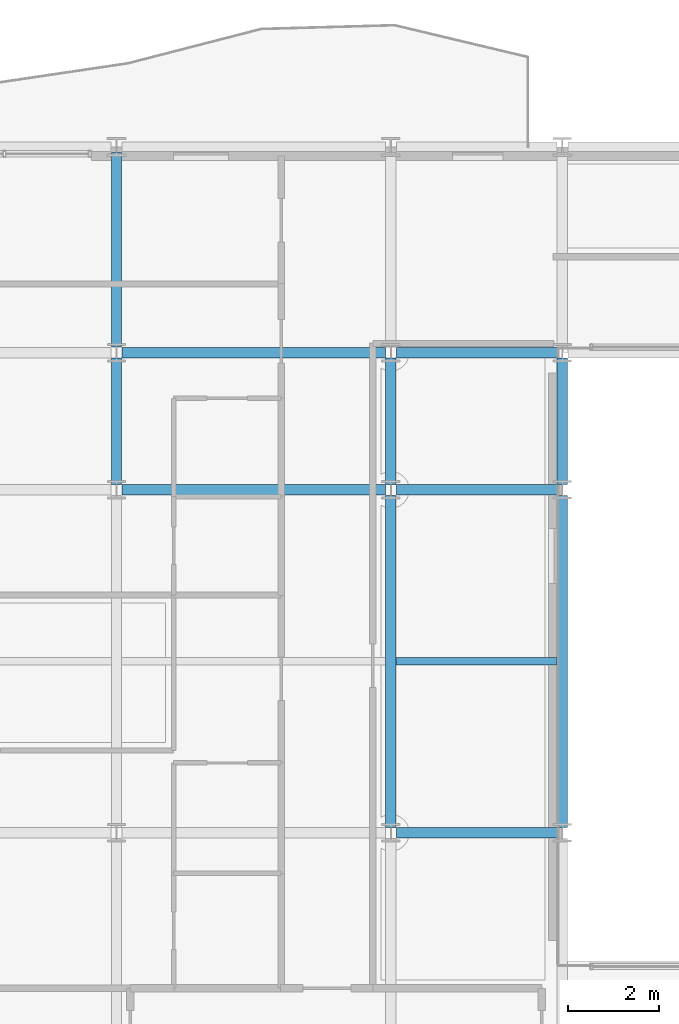
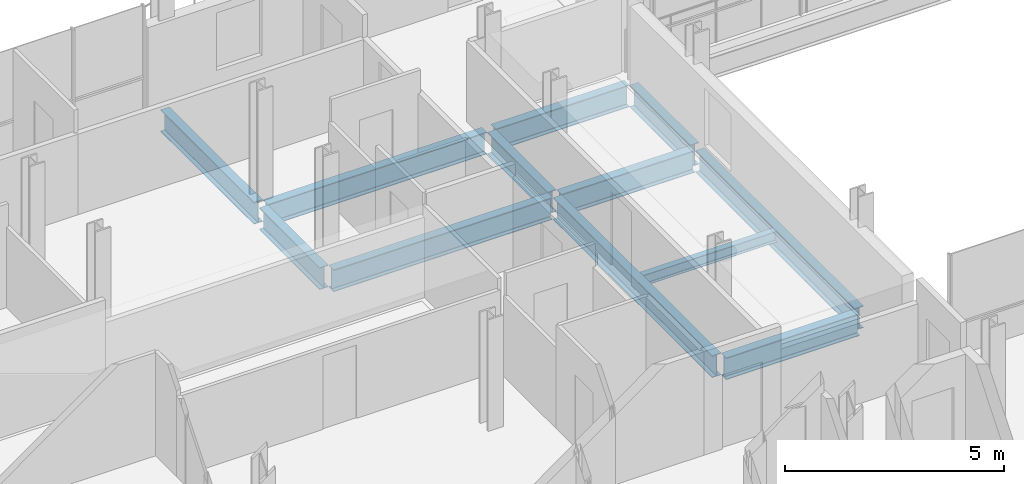
# One storey, part 10 of 41: 12 beams.
"""IFC4 building model written with IfcOpenShell, lengths in metres."""

from ifc_helpers import new_model, si_unit, direction, frame, origin, origin_2d, place, context, subcontext, project, spatial, i_section, extrude, material, material_profile, profile_set, type_object, element, save


model = new_model("IFC4")

# Units and contexts
model_context = context("Model", 3, precision=1e-05, world=origin(), true_north=direction((0.0, 1.0)))
body_context = subcontext(model_context, "Body", "Model", "MODEL_VIEW")
ifc_project = project(units=[si_unit("LENGTHUNIT", "METRE"), si_unit("AREAUNIT", "SQUARE_METRE"), si_unit("VOLUMEUNIT", "CUBIC_METRE"), si_unit("PLANEANGLEUNIT", "RADIAN"), si_unit("MASSUNIT", "GRAM", prefix="KILO")], contexts=[model_context])

# Site, building, storey
site_placement = place(None, origin())
site = spatial("IfcSite", under=ifc_project, at=site_placement, CompositionType="ELEMENT")
building_placement = place(site_placement, origin())
building = spatial("IfcBuilding", under=site, at=building_placement, Name="Brevholm Reach", CompositionType="ELEMENT")
storey_placement = place(building_placement, frame((0.0, 0.0, 157.300048828125)))
storey = spatial("IfcBuildingStorey", under=building, at=storey_placement, Name="L47", CompositionType="ELEMENT", Elevation=157.300048828125)

# Beams
ifc_material_1 = material(Name="Structural Steel S355J2", Category="steel")
ifc_material_profile_1 = material_profile(ifc_material_1, i_section(OverallWidth=0.1650390625, OverallDepth=0.303466796875, WebThickness=0.006103515625, FlangeThickness=0.01025390625, FilletRadius=0.0087890625, at=origin_2d()), Name="UKB 305x165x40")
ifc_profile_set_1 = profile_set([ifc_material_profile_1], Name="Structural Steel S355J2")
beam_type_1 = type_object("IfcBeamType", Name="BM-B305", PredefinedType="BEAM", material=ifc_profile_set_1)
beam_1_placement = place(storey_placement, frame((18.114501953125, 19.75, -0.371826171875), z_axis=(1.0, 0.0, 0.0), x_axis=(0.0, 1.0, 0.0)))
element("IfcBeam", 1, at=beam_1_placement, inside=storey, type_object=beam_type_1, Name="L47 Composite Secondary Floor Beam", PredefinedType="BEAM", context=body_context, shape_type="SweptSolid", body=[
    extrude(i_section(OverallWidth=0.1650390625, OverallDepth=0.303466796875, WebThickness=0.006103515625, FlangeThickness=0.01025390625, FilletRadius=0.0087890625, at=origin_2d()), origin(), (0.0, 0.0, 1.0), 3.52099609375),
])
ifc_material_2 = material(Name="Structural Steel S355J2", Category="steel")
ifc_material_profile_2 = material_profile(ifc_material_2, i_section(OverallWidth=0.22900390625, OverallDepth=0.6123046875, WebThickness=0.011962890625, FlangeThickness=0.01953125, FilletRadius=0.0126953125, at=origin_2d()), Name="UKB 610x229x125")
ifc_profile_set_2 = profile_set([ifc_material_profile_2], Name="Structural Steel S355J2")
beam_type_2 = type_object("IfcBeamType", Name="BM-SP610", PredefinedType="SPANDREL", material=ifc_profile_set_2)
beam_2_placement = place(storey_placement, frame((18.1201171875, 16.0, -0.526123046875), z_axis=(1.0, 0.0, 0.0), x_axis=(0.0, 1.0, 0.0)))
element("IfcBeam", 2, at=beam_2_placement, inside=storey, type_object=beam_type_2, Name="L47 SP-01 Framing Beam", PredefinedType="SPANDREL", context=body_context, shape_type="SweptSolid", body=[
    extrude(i_section(OverallWidth=0.22900390625, OverallDepth=0.6123046875, WebThickness=0.011962890625, FlangeThickness=0.01953125, FilletRadius=0.0126953125, at=origin_2d()), origin(), (0.0, 0.0, 1.0), 3.509765625),
])
beam_3_placement = place(storey_placement, frame((12.1201171875, 23.5, -0.526123046875), z_axis=(1.0, 0.0, 0.0), x_axis=(0.0, 1.0, 0.0)))
element("IfcBeam", 3, at=beam_3_placement, inside=storey, type_object=beam_type_2, Name="L47 SP-01 Framing Beam", PredefinedType="SPANDREL", context=body_context, shape_type="SweptSolid", body=[
    extrude(i_section(OverallWidth=0.22900390625, OverallDepth=0.6123046875, WebThickness=0.011962890625, FlangeThickness=0.01953125, FilletRadius=0.0126953125, at=origin_2d()), origin(), (0.0, 0.0, 1.0), 5.759765625),
])
beam_4_placement = place(storey_placement, frame((18.1201171875, 23.5, -0.526123046875), z_axis=(1.0, 0.0, 0.0), x_axis=(0.0, 1.0, 0.0)))
element("IfcBeam", 4, at=beam_4_placement, inside=storey, type_object=beam_type_2, Name="L47 SP-01 Framing Beam", PredefinedType="SPANDREL", context=body_context, shape_type="SweptSolid", body=[
    extrude(i_section(OverallWidth=0.22900390625, OverallDepth=0.6123046875, WebThickness=0.011962890625, FlangeThickness=0.01953125, FilletRadius=0.0126953125, at=origin_2d()), origin(), (0.0, 0.0, 1.0), 3.509765625),
])
beam_5_placement = place(storey_placement, frame((12.1201171875, 26.5, -0.526123046875), z_axis=(1.0, 0.0, 0.0), x_axis=(0.0, 1.0, 0.0)))
element("IfcBeam", 5, at=beam_5_placement, inside=storey, type_object=beam_type_2, Name="L47 SP-01 Framing Beam", PredefinedType="SPANDREL", context=body_context, shape_type="SweptSolid", body=[
    extrude(i_section(OverallWidth=0.22900390625, OverallDepth=0.6123046875, WebThickness=0.011962890625, FlangeThickness=0.01953125, FilletRadius=0.0126953125, at=origin_2d()), origin(), (0.0, 0.0, 1.0), 5.759765625),
])
beam_6_placement = place(storey_placement, frame((18.1201171875, 26.5, -0.526123046875), z_axis=(1.0, 0.0, 0.0), x_axis=(0.0, 1.0, 0.0)))
element("IfcBeam", 6, at=beam_6_placement, inside=storey, type_object=beam_type_2, Name="L47 SP-01 Framing Beam", PredefinedType="SPANDREL", context=body_context, shape_type="SweptSolid", body=[
    extrude(i_section(OverallWidth=0.22900390625, OverallDepth=0.6123046875, WebThickness=0.011962890625, FlangeThickness=0.01953125, FilletRadius=0.0126953125, at=origin_2d()), origin(), (0.0, 0.0, 1.0), 3.509765625),
])
beam_7_placement = place(storey_placement, frame((12.0, 23.6201171875, -0.526123046875), z_axis=(0.0, 1.0, 0.0), x_axis=(-1.0, 0.0, 0.0)))
element("IfcBeam", 7, at=beam_7_placement, inside=storey, type_object=beam_type_2, Name="L47 SP-01 Framing Beam", PredefinedType="SPANDREL", context=body_context, shape_type="SweptSolid", body=[
    extrude(i_section(OverallWidth=0.22900390625, OverallDepth=0.6123046875, WebThickness=0.011962890625, FlangeThickness=0.01953125, FilletRadius=0.0126953125, at=origin_2d()), origin(), (0.0, 0.0, 1.0), 2.759765625),
])
beam_8_placement = place(storey_placement, frame((12.0, 26.6201171875, -0.526123046875), z_axis=(0.0, 1.0, 0.0), x_axis=(-1.0, 0.0, 0.0)))
element("IfcBeam", 8, at=beam_8_placement, inside=storey, type_object=beam_type_2, Name="L47 SP-01 Framing Beam", PredefinedType="SPANDREL", context=body_context, shape_type="SweptSolid", body=[
    extrude(i_section(OverallWidth=0.22900390625, OverallDepth=0.6123046875, WebThickness=0.011962890625, FlangeThickness=0.01953125, FilletRadius=0.0126953125, at=origin_2d()), origin(), (0.0, 0.0, 1.0), 4.259765625),
])
beam_9_placement = place(storey_placement, frame((18.0, 16.1201171875, -0.526123046875), z_axis=(0.0, 1.0, 0.0), x_axis=(-1.0, 0.0, 0.0)))
element("IfcBeam", 9, at=beam_9_placement, inside=storey, type_object=beam_type_2, Name="L47 SP-01 Framing Beam", PredefinedType="SPANDREL", context=body_context, shape_type="SweptSolid", body=[
    extrude(i_section(OverallWidth=0.22900390625, OverallDepth=0.6123046875, WebThickness=0.011962890625, FlangeThickness=0.01953125, FilletRadius=0.0126953125, at=origin_2d()), origin(), (0.0, 0.0, 1.0), 7.259765625),
])
beam_10_placement = place(storey_placement, frame((18.0, 23.6201171875, -0.526123046875), z_axis=(0.0, 1.0, 0.0), x_axis=(-1.0, 0.0, 0.0)))
element("IfcBeam", 10, at=beam_10_placement, inside=storey, type_object=beam_type_2, Name="L47 SP-01 Framing Beam", PredefinedType="SPANDREL", context=body_context, shape_type="SweptSolid", body=[
    extrude(i_section(OverallWidth=0.22900390625, OverallDepth=0.6123046875, WebThickness=0.011962890625, FlangeThickness=0.01953125, FilletRadius=0.0126953125, at=origin_2d()), origin(), (0.0, 0.0, 1.0), 2.759765625),
])
beam_11_placement = place(storey_placement, frame((21.75, 16.1201171875, -0.526123046875), z_axis=(0.0, 1.0, 0.0), x_axis=(-1.0, 0.0, 0.0)))
element("IfcBeam", 11, at=beam_11_placement, inside=storey, type_object=beam_type_2, Name="L47 SP-01 Framing Beam", PredefinedType="SPANDREL", context=body_context, shape_type="SweptSolid", body=[
    extrude(i_section(OverallWidth=0.22900390625, OverallDepth=0.6123046875, WebThickness=0.011962890625, FlangeThickness=0.01953125, FilletRadius=0.0126953125, at=origin_2d()), origin(), (0.0, 0.0, 1.0), 7.259765625),
])
beam_12_placement = place(storey_placement, frame((21.75, 23.6201171875, -0.526123046875), z_axis=(0.0, 1.0, 0.0), x_axis=(-1.0, 0.0, 0.0)))
element("IfcBeam", 12, at=beam_12_placement, inside=storey, type_object=beam_type_2, Name="L47 SP-01 Framing Beam", PredefinedType="SPANDREL", context=body_context, shape_type="SweptSolid", body=[
    extrude(i_section(OverallWidth=0.22900390625, OverallDepth=0.6123046875, WebThickness=0.011962890625, FlangeThickness=0.01953125, FilletRadius=0.0126953125, at=origin_2d()), origin(), (0.0, 0.0, 1.0), 2.759765625),
])

save(model, "model.ifc")
